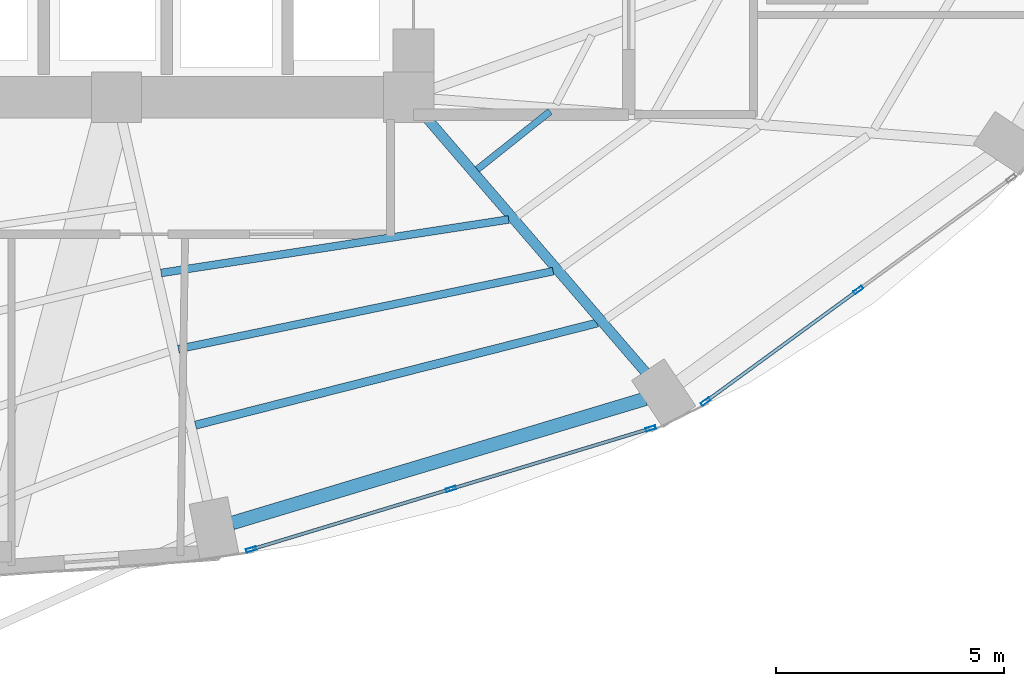
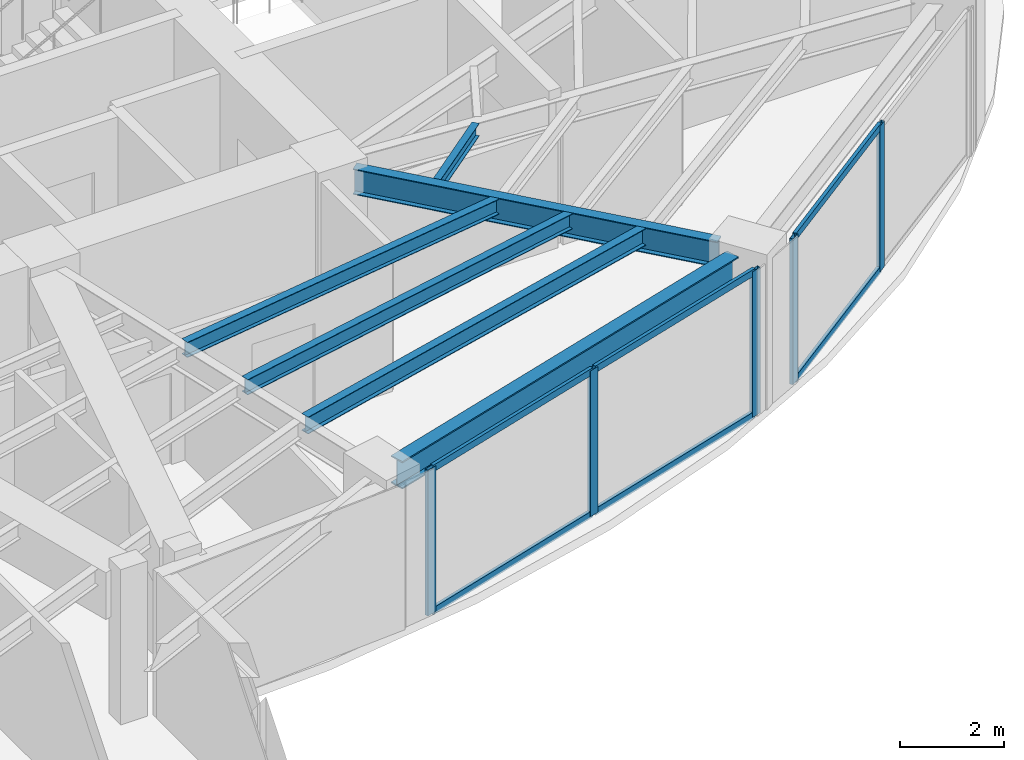
# One storey, part 9 of 25: 11 members, 6 beams, 2 elements without a shape of their own.
"""IFC4 building model written with IfcOpenShell, lengths in metres."""

from ifc_helpers import new_model, si_unit, direction, frame, origin, origin_2d, place, context, subcontext, project, spatial, hollow_rectangle, i_section, extrude, material, layer, layer_set, material_profile, profile_set, type_object, element, aggregate, save


model = new_model("IFC4")

# Units and contexts
model_context = context("Model", 3, precision=1e-05, world=origin(), true_north=direction((0.0, 1.0)))
body_context = subcontext(model_context, "Body", "Model", "MODEL_VIEW")
ifc_project = project(units=[si_unit("LENGTHUNIT", "METRE"), si_unit("AREAUNIT", "SQUARE_METRE"), si_unit("VOLUMEUNIT", "CUBIC_METRE"), si_unit("PLANEANGLEUNIT", "RADIAN"), si_unit("MASSUNIT", "GRAM", prefix="KILO")], contexts=[model_context])

# Site, building, storey
site_placement = place(None, origin())
site = spatial("IfcSite", under=ifc_project, at=site_placement, CompositionType="ELEMENT")
building_placement = place(site_placement, origin())
building = spatial("IfcBuilding", under=site, at=building_placement, Name="Lazwardi Medical Tower", CompositionType="ELEMENT")
storey_placement = place(building_placement, frame((0.0, 0.0, 28.847900390625)))
storey = spatial("IfcBuildingStorey", under=building, at=storey_placement, Name="L06", CompositionType="ELEMENT", Elevation=28.847900390625)

# Beams
ifc_material_1 = material(Name="Steel S355", Category="steel")
ifc_material_profile_1 = material_profile(ifc_material_1, i_section(OverallWidth=0.300048828125, OverallDepth=0.64990234375, WebThickness=0.01611328125, FlangeThickness=0.031005859375, at=origin_2d()), Name="HEB 650")
ifc_profile_set_1 = profile_set([ifc_material_profile_1], Name="Steel S355")
beam_type_1 = type_object("IfcBeamType", Name="BM-RB-Z1", PredefinedType="BEAM", material=ifc_profile_set_1)
beam_1_placement = place(storey_placement, frame((41.73291015625, 11.076904296875, 3.10302734375), z_axis=(0.957695289269, 0.287784177662, 0.0), x_axis=(-0.287784177662, 0.957695289269, 0.0)))
element("IfcBeam", 1, at=beam_1_placement, inside=storey, type_object=beam_type_1, Name="Ring beam RB-02 B01 L06", PredefinedType="BEAM", context=body_context, shape_type="SweptSolid", body=[
    extrude(i_section(OverallWidth=0.300048828125, OverallDepth=0.64990234375, WebThickness=0.01611328125, FlangeThickness=0.031005859375, at=origin_2d()), origin(), (0.0, 0.0, 1.0), 9.445556640625),
])
ifc_material_profile_2 = material_profile(ifc_material_1, i_section(OverallWidth=0.219970703125, OverallDepth=0.60009765625, WebThickness=0.011962890625, FlangeThickness=0.01904296875, at=origin_2d()), Name="IPE 600")
ifc_profile_set_2 = profile_set([ifc_material_profile_2], Name="Steel S355")
beam_type_2 = type_object("IfcBeamType", Name="BM-RG-W1", PredefinedType="BEAM", material=ifc_profile_set_2)
beam_2_placement = place(storey_placement, frame((50.802490234375, 14.355712890625, 3.128173828125), z_axis=(-0.652368190463, 0.757902199543, 0.0), x_axis=(-0.757902199543, -0.652368190463, 0.0)))
element("IfcBeam", 2, at=beam_2_placement, inside=storey, type_object=beam_type_2, Name="Radial girder RG-02 R02 L06", PredefinedType="BEAM", context=body_context, shape_type="SweptSolid", body=[
    extrude(i_section(OverallWidth=0.219970703125, OverallDepth=0.60009765625, WebThickness=0.011962890625, FlangeThickness=0.01904296875, at=origin_2d()), origin(), (0.0, 0.0, 1.0), 7.43994140625),
])
ifc_material_profile_3 = material_profile(ifc_material_1, i_section(OverallWidth=0.179931640625, OverallDepth=0.39990234375, WebThickness=0.008544921875, FlangeThickness=0.013427734375, at=origin_2d()), Name="IPE 400")
ifc_profile_set_3 = profile_set([ifc_material_profile_3], Name="Steel S355")
beam_type_3 = type_object("IfcBeamType", Name="BM-SJ-01", PredefinedType="JOIST", material=ifc_profile_set_3)
beam_3_placement = place(storey_placement, frame((40.927734375, 13.218994140625, 3.22802734375), z_axis=(0.969151012048, 0.246467677081, 0.0), x_axis=(-0.246467677081, 0.969151012048, 0.0)))
element("IfcBeam", 3, at=beam_3_placement, inside=storey, type_object=beam_type_3, Name="Secondary joist SJ-01 R1 B01 L06", PredefinedType="JOIST", context=body_context, shape_type="SweptSolid", body=[
    extrude(i_section(OverallWidth=0.179931640625, OverallDepth=0.39990234375, WebThickness=0.008544921875, FlangeThickness=0.013427734375, at=origin_2d()), origin(), (0.0, 0.0, 1.0), 9.08251953125),
])
ifc_material_profile_4 = material_profile(ifc_material_1, i_section(OverallWidth=0.169921875, OverallDepth=0.360107421875, WebThickness=0.008056640625, FlangeThickness=0.0126953125, at=origin_2d()), Name="IPE 360")
ifc_profile_set_4 = profile_set([ifc_material_profile_4], Name="Steel S355")
beam_type_4 = type_object("IfcBeamType", Name="BM-SJ-02", PredefinedType="JOIST", material=ifc_profile_set_4)
beam_4_placement = place(storey_placement, frame((40.5517578125, 14.885498046875, 3.248046875), z_axis=(0.979107693723, 0.203342381445, 0.0), x_axis=(-0.203342381445, 0.979107693723, 0.0)))
element("IfcBeam", 4, at=beam_4_placement, inside=storey, type_object=beam_type_4, Name="Secondary joist SJ-02 R2 B01 L06", PredefinedType="JOIST", context=body_context, shape_type="SweptSolid", body=[
    extrude(i_section(OverallWidth=0.169921875, OverallDepth=0.360107421875, WebThickness=0.008056640625, FlangeThickness=0.0126953125, at=origin_2d()), origin(), (0.0, 0.0, 1.0), 8.381591796875),
])
beam_5_placement = place(storey_placement, frame((40.175537109375, 16.551513671875, 3.248046875), z_axis=(0.988362899594, 0.152114360618, 0.0), x_axis=(-0.152114360618, 0.988362899594, 0.0)))
element("IfcBeam", 5, at=beam_5_placement, inside=storey, type_object=beam_type_4, Name="Secondary joist SJ-02 R3 B01 L06", PredefinedType="JOIST", context=body_context, shape_type="SweptSolid", body=[
    extrude(i_section(OverallWidth=0.169921875, OverallDepth=0.360107421875, WebThickness=0.008056640625, FlangeThickness=0.0126953125, at=origin_2d()), origin(), (0.0, 0.0, 1.0), 7.70068359375),
])
ifc_material_profile_5 = material_profile(ifc_material_1, i_section(OverallWidth=0.14990234375, OverallDepth=0.300048828125, WebThickness=0.007080078125, FlangeThickness=0.0107421875, at=origin_2d()), Name="IPE 300")
ifc_profile_set_5 = profile_set([ifc_material_profile_5], Name="Steel S355")
beam_type_5 = type_object("IfcBeamType", Name="BM-SJ-03", PredefinedType="JOIST", material=ifc_profile_set_5)
beam_6_placement = place(storey_placement, frame((47.098876953125, 18.8193359375, 3.278076171875), z_axis=(0.782210957226, 0.623013658274, 0.0), x_axis=(-0.623013658274, 0.782210957226, 0.0)))
element("IfcBeam", 6, at=beam_6_placement, inside=storey, type_object=beam_type_5, Name="Secondary joist SJ-03 R4 B02 L06", PredefinedType="JOIST", context=body_context, shape_type="SweptSolid", body=[
    extrude(i_section(OverallWidth=0.14990234375, OverallDepth=0.300048828125, WebThickness=0.007080078125, FlangeThickness=0.0107421875, at=origin_2d()), origin(), (0.0, 0.0, 1.0), 2.0380859375),
])

# Curtain wall, members
ifc_material_2 = material(Name="Anodised bronze aluminium and solar control glazing", Category="aluminium")
ifc_layer = layer(ifc_material_2, 0.199951171875)
ifc_layer_set = layer_set([ifc_layer], Name="Anodised bronze aluminium and solar control glazing")
curtain_wall_type = type_object("IfcCurtainWallType", Name="CW-SYS-02", PredefinedType="NOTDEFINED", material=ifc_layer_set)
curtain_wall_1_placement = place(storey_placement, origin())
curtain_wall_1 = element("IfcCurtainWall", 7, at=curtain_wall_1_placement, inside=storey, type_object=curtain_wall_type, Name="L06 Unitised bronze curtain wall CW-02", PredefinedType="NOTDEFINED")
ifc_material_3 = material(Name="Anodised bronze aluminium", Category="aluminium")
ifc_material_profile_6 = material_profile(ifc_material_3, hollow_rectangle(XDim=0.074951171875, YDim=0.219970703125, WallThickness=0.00390625, at=origin_2d()), Name="ALU-MULLION 220x75x4")
ifc_profile_set_6 = profile_set([ifc_material_profile_6], Name="Anodised bronze aluminium")
member_type_1 = type_object("IfcMemberType", Name="CW-MUL-01", PredefinedType="MULLION", material=ifc_profile_set_6)
member_1_placement = place(storey_placement, frame((42.14794921875, 10.496337890625, 0.0), z_axis=(0.0, 0.0, 1.0), x_axis=(-0.2898956909, 0.957058247129, 0.0)))
member_1 = element("IfcMember", 8, at=member_1_placement, type_object=member_type_1, Name="CW-02 mullion 1", PredefinedType="MULLION", context=body_context, shape_type="SweptSolid", body=[
    extrude(hollow_rectangle(XDim=0.074951171875, YDim=0.219970703125, WallThickness=0.00390625, at=origin_2d()), origin(), (0.0, 0.0, 1.0), 3.427978515625),
])
member_2_placement = place(storey_placement, frame((46.523193359375, 11.821533203125, 0.0), z_axis=(0.0, 0.0, 1.0), x_axis=(-0.2898956909, 0.957058247129, 0.0)))
member_2 = element("IfcMember", 9, at=member_2_placement, type_object=member_type_1, Name="CW-02 mullion 2", PredefinedType="MULLION", context=body_context, shape_type="SweptSolid", body=[
    extrude(hollow_rectangle(XDim=0.074951171875, YDim=0.219970703125, WallThickness=0.00390625, at=origin_2d()), origin(), (0.0, 0.0, 1.0), 3.427978515625),
])
member_3_placement = place(storey_placement, frame((50.8984375, 13.146728515625, 0.0), z_axis=(0.0, 0.0, 1.0), x_axis=(-0.2898956909, 0.957058247129, 0.0)))
member_3 = element("IfcMember", 10, at=member_3_placement, type_object=member_type_1, Name="CW-02 mullion 3", PredefinedType="MULLION", context=body_context, shape_type="SweptSolid", body=[
    extrude(hollow_rectangle(XDim=0.074951171875, YDim=0.219970703125, WallThickness=0.00390625, at=origin_2d()), origin(), (0.0, 0.0, 1.0), 3.427978515625),
])

curtain_wall_2_placement = place(storey_placement, origin())
curtain_wall_2 = element("IfcCurtainWall", 11, at=curtain_wall_2_placement, inside=storey, type_object=curtain_wall_type, Name="L06 Unitised bronze curtain wall CW-02", PredefinedType="NOTDEFINED")
member_4_placement = place(storey_placement, frame((52.0986328125, 13.73388671875, 0.0), z_axis=(0.0, 0.0, 1.0), x_axis=(-0.590289307341, 0.807191757663, 0.0)))
member_4 = element("IfcMember", 12, at=member_4_placement, type_object=member_type_1, Name="CW-02 mullion 1", PredefinedType="MULLION", context=body_context, shape_type="SweptSolid", body=[
    extrude(hollow_rectangle(XDim=0.074951171875, YDim=0.219970703125, WallThickness=0.00390625, at=origin_2d()), origin(), (0.0, 0.0, 1.0), 3.427978515625),
])
member_5_placement = place(storey_placement, frame((55.4443359375, 16.1806640625, 0.0), z_axis=(0.0, 0.0, 1.0), x_axis=(-0.590289307341, 0.807191757663, 0.0)))
member_5 = element("IfcMember", 13, at=member_5_placement, type_object=member_type_1, Name="CW-02 mullion 2", PredefinedType="MULLION", context=body_context, shape_type="SweptSolid", body=[
    extrude(hollow_rectangle(XDim=0.074951171875, YDim=0.219970703125, WallThickness=0.00390625, at=origin_2d()), origin(), (0.0, 0.0, 1.0), 3.427978515625),
])

# Member
ifc_material_profile_7 = material_profile(ifc_material_3, hollow_rectangle(XDim=0.074951171875, YDim=0.159912109375, WallThickness=0.00390625, at=origin_2d()), Name="ALU-TRANSOM 160x75x4")
ifc_profile_set_7 = profile_set([ifc_material_profile_7], Name="Anodised bronze aluminium")
member_type_2 = type_object("IfcMemberType", Name="CW-TRN-01", PredefinedType="USERDEFINED", material=ifc_profile_set_7)
member_6_placement = place(storey_placement, frame((42.183837890625, 10.507080078125, 0.03759765625), z_axis=(0.957047233423, 0.28993204893, 0.0), x_axis=(-0.28993204893, 0.957047233423, 0.0)))
member_6 = element("IfcMember", 14, at=member_6_placement, type_object=member_type_2, Name="CW-02 transom 1.1", ObjectType="TRANSOM", PredefinedType="USERDEFINED", context=body_context, shape_type="SweptSolid", body=[
    extrude(hollow_rectangle(XDim=0.074951171875, YDim=0.159912109375, WallThickness=0.00390625, at=origin_2d()), origin(), (0.0, 0.0, 1.0), 4.49658203125),
])

member_7_placement = place(storey_placement, frame((42.183837890625, 10.507080078125, 3.390625), z_axis=(0.957047233423, 0.28993204893, 0.0), x_axis=(-0.28993204893, 0.957047233423, 0.0)))
member_7 = element("IfcMember", 15, at=member_7_placement, type_object=member_type_2, Name="CW-02 transom 1.2", ObjectType="TRANSOM", PredefinedType="USERDEFINED", context=body_context, shape_type="SweptSolid", body=[
    extrude(hollow_rectangle(XDim=0.074951171875, YDim=0.159912109375, WallThickness=0.00390625, at=origin_2d()), origin(), (0.0, 0.0, 1.0), 4.49658203125),
])

member_8_placement = place(storey_placement, frame((46.55908203125, 11.83251953125, 0.03759765625), z_axis=(0.957062297904, 0.289882317383, 0.0), x_axis=(-0.289882317383, 0.957062297904, 0.0)))
member_8 = element("IfcMember", 16, at=member_8_placement, type_object=member_type_2, Name="CW-02 transom 2.1", ObjectType="TRANSOM", PredefinedType="USERDEFINED", context=body_context, shape_type="SweptSolid", body=[
    extrude(hollow_rectangle(XDim=0.074951171875, YDim=0.159912109375, WallThickness=0.00390625, at=origin_2d()), origin(), (0.0, 0.0, 1.0), 4.49658203125),
])

member_9_placement = place(storey_placement, frame((46.55908203125, 11.83251953125, 3.390625), z_axis=(0.957062297904, 0.289882317383, 0.0), x_axis=(-0.289882317383, 0.957062297904, 0.0)))
member_9 = element("IfcMember", 17, at=member_9_placement, type_object=member_type_2, Name="CW-02 transom 2.2", ObjectType="TRANSOM", PredefinedType="USERDEFINED", context=body_context, shape_type="SweptSolid", body=[
    extrude(hollow_rectangle(XDim=0.074951171875, YDim=0.159912109375, WallThickness=0.00390625, at=origin_2d()), origin(), (0.0, 0.0, 1.0), 4.49658203125),
])

aggregate(curtain_wall_1, [member_1, member_2, member_3, member_6, member_7, member_8, member_9])

member_10_placement = place(storey_placement, frame((52.12890625, 13.756103515625, 0.03759765625), z_axis=(0.807197636578, 0.590281268128, 0.0), x_axis=(-0.590281268128, 0.807197636578, 0.0)))
member_10 = element("IfcMember", 18, at=member_10_placement, type_object=member_type_2, Name="CW-02 transom 1.1", ObjectType="TRANSOM", PredefinedType="USERDEFINED", context=body_context, shape_type="SweptSolid", body=[
    extrude(hollow_rectangle(XDim=0.074951171875, YDim=0.159912109375, WallThickness=0.00390625, at=origin_2d()), origin(), (0.0, 0.0, 1.0), 4.06982421875),
])

member_11_placement = place(storey_placement, frame((52.12890625, 13.756103515625, 3.390625), z_axis=(0.807197636578, 0.590281268128, 0.0), x_axis=(-0.590281268128, 0.807197636578, 0.0)))
member_11 = element("IfcMember", 19, at=member_11_placement, type_object=member_type_2, Name="CW-02 transom 1.2", ObjectType="TRANSOM", PredefinedType="USERDEFINED", context=body_context, shape_type="SweptSolid", body=[
    extrude(hollow_rectangle(XDim=0.074951171875, YDim=0.159912109375, WallThickness=0.00390625, at=origin_2d()), origin(), (0.0, 0.0, 1.0), 4.06982421875),
])

aggregate(curtain_wall_2, [member_4, member_5, member_10, member_11])

save(model, "model.ifc")
